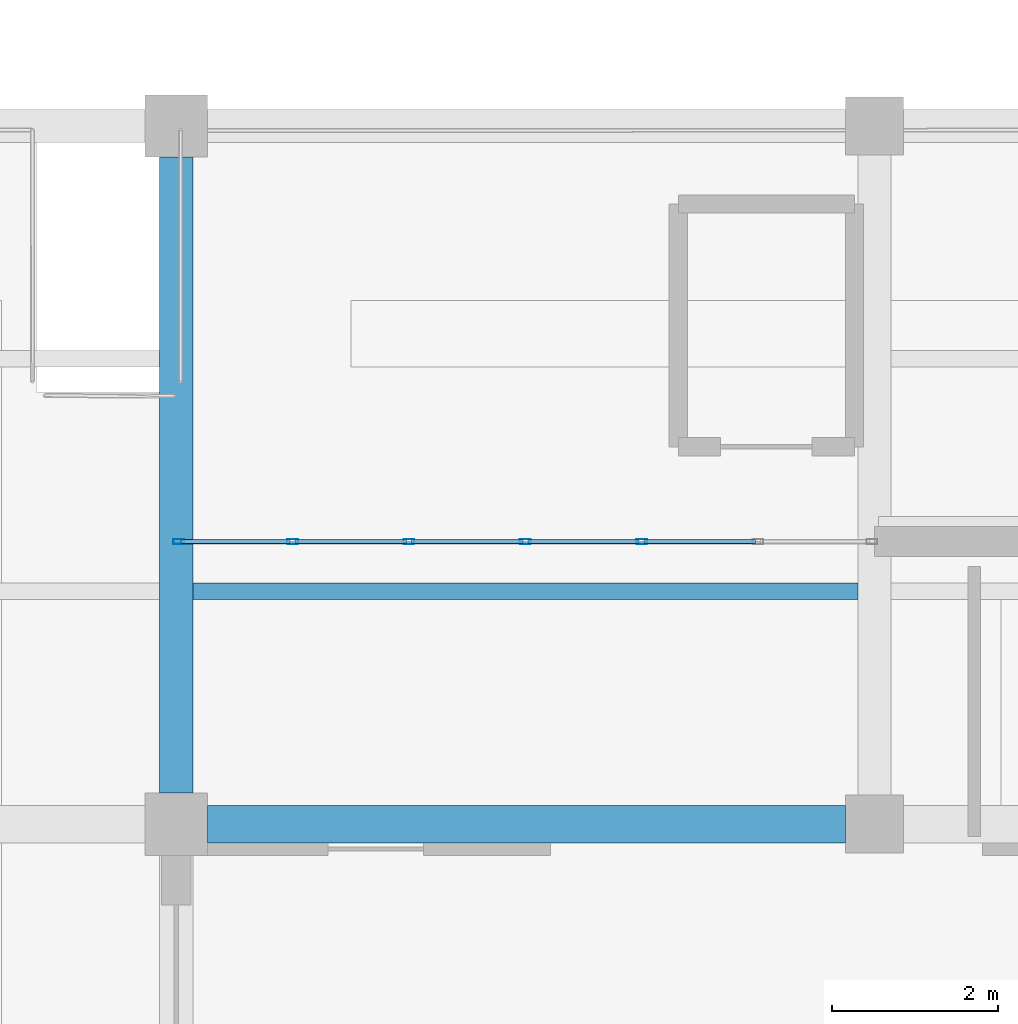
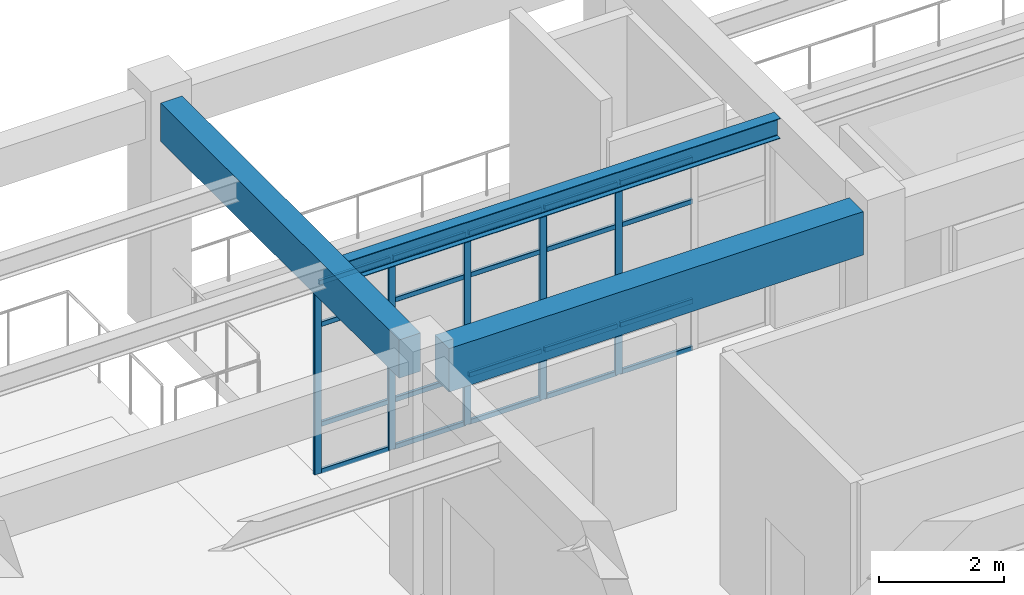
# One storey, part 9 of 98: 25 members, 3 beams, 1 element without a shape of its own.
"""IFC4 building model written with IfcOpenShell, lengths in metres."""

from ifc_helpers import new_model, si_unit, direction, frame, origin, origin_2d, place, context, subcontext, project, spatial, rectangle, hollow_rectangle, i_section, extrude, material, material_profile, profile_set, type_object, element, aggregate, save


model = new_model("IFC4")

# Units and contexts
model_context = context("Model", 3, precision=1e-05, world=origin(), true_north=direction((0.0, 1.0)))
body_context = subcontext(model_context, "Body", "Model", "MODEL_VIEW")
ifc_project = project(units=[si_unit("LENGTHUNIT", "METRE"), si_unit("AREAUNIT", "SQUARE_METRE"), si_unit("VOLUMEUNIT", "CUBIC_METRE"), si_unit("PLANEANGLEUNIT", "RADIAN"), si_unit("MASSUNIT", "GRAM", prefix="KILO")], contexts=[model_context])

# Site, building, storey
site_placement = place(None, origin())
site = spatial("IfcSite", under=ifc_project, at=site_placement, CompositionType="ELEMENT")
building_placement = place(site_placement, origin())
building = spatial("IfcBuilding", under=site, at=building_placement, Name="Canglan Escarpment Cableway Terminal", CompositionType="ELEMENT")
storey_placement = place(building_placement, frame((0.0, 0.0, 9.60009765625)))
storey = spatial("IfcBuildingStorey", under=building, at=storey_placement, Name="L02", CompositionType="ELEMENT", Elevation=9.60009765625)

# Beams
ifc_material_1 = material(Name="Concrete C40", Category="concrete")
ifc_material_profile_1 = material_profile(ifc_material_1, rectangle(XDim=0.39990234375, YDim=0.75, at=origin_2d()), Name="RC 400x750")
ifc_profile_set_1 = profile_set([ifc_material_profile_1], Name="Concrete C40")
beam_type_1 = type_object("IfcBeamType", Name="BM-RC400x750", PredefinedType="BEAM", material=ifc_profile_set_1)
beam_1_placement = place(storey_placement, frame((50.89990234375, 16.77490234375, 4.14501953125), z_axis=(0.0, 1.0, 0.0), x_axis=(-1.0, 0.0, 0.0)))
element("IfcBeam", 1, at=beam_1_placement, inside=storey, type_object=beam_type_1, Name="Primary transverse girder B-03", PredefinedType="BEAM", context=body_context, shape_type="SweptSolid", body=[
    extrude(rectangle(XDim=0.39990234375, YDim=0.75, at=origin_2d()), origin(), (0.0, 0.0, 1.0), 7.650146484375),
])
ifc_material_profile_2 = material_profile(ifc_material_1, rectangle(XDim=0.449951171875, YDim=0.85009765625, at=origin_2d()), Name="RC 450x850")
ifc_profile_set_2 = profile_set([ifc_material_profile_2], Name="Concrete C40")
beam_type_2 = type_object("IfcBeamType", Name="BM-RC450x850", PredefinedType="BEAM", material=ifc_profile_set_2)
beam_2_placement = place(storey_placement, frame((51.27490234375, 16.39990234375, 4.0849609375), z_axis=(1.0, 0.0, 0.0), x_axis=(0.0, 1.0, 0.0)))
element("IfcBeam", 2, at=beam_2_placement, inside=storey, type_object=beam_type_2, Name="Primary structural girder B-02", PredefinedType="BEAM", context=body_context, shape_type="SweptSolid", body=[
    extrude(rectangle(XDim=0.449951171875, YDim=0.85009765625, at=origin_2d()), origin(), (0.0, 0.0, 1.0), 7.675048828125),
])

# Curtain wall, members
ifc_material_2 = material(Name="Anodized bronze aluminium and Low-E double glazing", Category="aluminium")
curtain_wall_type = type_object("IfcCurtainWallType", Name="CW-BAY-8400x3750", PredefinedType="NOTDEFINED", material=ifc_material_2)
curtain_wall_placement = place(storey_placement, origin())
curtain_wall = element("IfcCurtainWall", 3, at=curtain_wall_placement, inside=storey, type_object=curtain_wall_type, Name="Classical bay-between-piers glazed curtain wall CW-08", PredefinedType="NOTDEFINED")
ifc_material_3 = material(Name="Thermally broken anodized aluminium 6063-T6", Category="aluminium")
ifc_material_profile_3 = material_profile(ifc_material_3, hollow_rectangle(XDim=0.06005859375, YDim=0.1298828125, WallThickness=0.0029296875, InnerFilletRadius=0.0029296875, OuterFilletRadius=0.006103515625, at=origin_2d()), Name="ALU-MULL 60x130x3")
ifc_profile_set_3 = profile_set([ifc_material_profile_3], Name="Thermally broken anodized aluminium 6063-T6")
member_type_1 = type_object("IfcMemberType", Name="CWM-01", PredefinedType="MULLION", material=ifc_profile_set_3)
member_1_placement = place(storey_placement, frame((56.5, 19.800048828125, 0.0), z_axis=(0.0, 0.0, 1.0), x_axis=(0.0, -1.0, 0.0)))
member_1 = element("IfcMember", 4, at=member_1_placement, type_object=member_type_1, Name="CW-08 mullion 3", PredefinedType="MULLION", context=body_context, shape_type="SweptSolid", body=[
    extrude(hollow_rectangle(XDim=0.06005859375, YDim=0.1298828125, WallThickness=0.0029296875, InnerFilletRadius=0.0029296875, OuterFilletRadius=0.006103515625, at=origin_2d()), origin(), (0.0, 0.0, 1.0), 3.7548828125),
])
member_2_placement = place(storey_placement, frame((55.10009765625, 19.800048828125, 0.0), z_axis=(0.0, 0.0, 1.0), x_axis=(0.0, -1.0, 0.0)))
member_2 = element("IfcMember", 5, at=member_2_placement, type_object=member_type_1, Name="CW-08 mullion 4", PredefinedType="MULLION", context=body_context, shape_type="SweptSolid", body=[
    extrude(hollow_rectangle(XDim=0.06005859375, YDim=0.1298828125, WallThickness=0.0029296875, InnerFilletRadius=0.0029296875, OuterFilletRadius=0.006103515625, at=origin_2d()), origin(), (0.0, 0.0, 1.0), 3.7548828125),
])
member_3_placement = place(storey_placement, frame((53.699951171875, 19.800048828125, 0.0), z_axis=(0.0, 0.0, 1.0), x_axis=(0.0, -1.0, 0.0)))
member_3 = element("IfcMember", 6, at=member_3_placement, type_object=member_type_1, Name="CW-08 mullion 5", PredefinedType="MULLION", context=body_context, shape_type="SweptSolid", body=[
    extrude(hollow_rectangle(XDim=0.06005859375, YDim=0.1298828125, WallThickness=0.0029296875, InnerFilletRadius=0.0029296875, OuterFilletRadius=0.006103515625, at=origin_2d()), origin(), (0.0, 0.0, 1.0), 3.7548828125),
])
member_4_placement = place(storey_placement, frame((52.300048828125, 19.800048828125, 0.0), z_axis=(0.0, 0.0, 1.0), x_axis=(0.0, -1.0, 0.0)))
member_4 = element("IfcMember", 7, at=member_4_placement, type_object=member_type_1, Name="CW-08 mullion 6", PredefinedType="MULLION", context=body_context, shape_type="SweptSolid", body=[
    extrude(hollow_rectangle(XDim=0.06005859375, YDim=0.1298828125, WallThickness=0.0029296875, InnerFilletRadius=0.0029296875, OuterFilletRadius=0.006103515625, at=origin_2d()), origin(), (0.0, 0.0, 1.0), 3.7548828125),
])
member_5_placement = place(storey_placement, frame((50.929931640625, 19.800048828125, 0.0), z_axis=(0.0, 0.0, 1.0), x_axis=(0.0, -1.0, 0.0)))
member_5 = element("IfcMember", 8, at=member_5_placement, type_object=member_type_1, Name="CW-08 mullion 7", PredefinedType="MULLION", context=body_context, shape_type="SweptSolid", body=[
    extrude(hollow_rectangle(XDim=0.06005859375, YDim=0.1298828125, WallThickness=0.0029296875, InnerFilletRadius=0.0029296875, OuterFilletRadius=0.006103515625, at=origin_2d()), origin(), (0.0, 0.0, 1.0), 3.7548828125),
])
ifc_material_profile_4 = material_profile(ifc_material_3, hollow_rectangle(XDim=0.054931640625, YDim=0.094970703125, WallThickness=0.0029296875, InnerFilletRadius=0.0029296875, OuterFilletRadius=0.006103515625, at=origin_2d()), Name="ALU-TRAN 55x95x3")
ifc_profile_set_4 = profile_set([ifc_material_profile_4], Name="Thermally broken anodized aluminium 6063-T6")
member_type_2 = type_object("IfcMemberType", Name="CWT-01", PredefinedType="USERDEFINED", material=ifc_profile_set_4)
member_6_placement = place(storey_placement, frame((57.8701171875, 19.800048828125, 0.02734375), z_axis=(-1.0, 0.0, 0.0), x_axis=(0.0, -1.0, 0.0)))
member_6 = element("IfcMember", 9, at=member_6_placement, type_object=member_type_2, Name="CW-08 transom 2.1", ObjectType="TRANSOM", PredefinedType="USERDEFINED", context=body_context, shape_type="SweptSolid", body=[
    extrude(hollow_rectangle(XDim=0.054931640625, YDim=0.094970703125, WallThickness=0.0029296875, InnerFilletRadius=0.0029296875, OuterFilletRadius=0.006103515625, at=origin_2d()), origin(), (0.0, 0.0, 1.0), 1.340087890625),
])
member_7_placement = place(storey_placement, frame((57.8701171875, 19.800048828125, 0.949951171875), z_axis=(-1.0, 0.0, 0.0), x_axis=(0.0, -1.0, 0.0)))
member_7 = element("IfcMember", 10, at=member_7_placement, type_object=member_type_2, Name="CW-08 transom 2.2", ObjectType="TRANSOM", PredefinedType="USERDEFINED", context=body_context, shape_type="SweptSolid", body=[
    extrude(hollow_rectangle(XDim=0.054931640625, YDim=0.094970703125, WallThickness=0.0029296875, InnerFilletRadius=0.0029296875, OuterFilletRadius=0.006103515625, at=origin_2d()), origin(), (0.0, 0.0, 1.0), 1.340087890625),
])
member_8_placement = place(storey_placement, frame((57.8701171875, 19.800048828125, 2.90478515625), z_axis=(-1.0, 0.0, 0.0), x_axis=(0.0, -1.0, 0.0)))
member_8 = element("IfcMember", 11, at=member_8_placement, type_object=member_type_2, Name="CW-08 transom 2.3", ObjectType="TRANSOM", PredefinedType="USERDEFINED", context=body_context, shape_type="SweptSolid", body=[
    extrude(hollow_rectangle(XDim=0.054931640625, YDim=0.094970703125, WallThickness=0.0029296875, InnerFilletRadius=0.0029296875, OuterFilletRadius=0.006103515625, at=origin_2d()), origin(), (0.0, 0.0, 1.0), 1.340087890625),
])
member_9_placement = place(storey_placement, frame((57.8701171875, 19.800048828125, 3.727294921875), z_axis=(-1.0, 0.0, 0.0), x_axis=(0.0, -1.0, 0.0)))
member_9 = element("IfcMember", 12, at=member_9_placement, type_object=member_type_2, Name="CW-08 transom 2.4", ObjectType="TRANSOM", PredefinedType="USERDEFINED", context=body_context, shape_type="SweptSolid", body=[
    extrude(hollow_rectangle(XDim=0.054931640625, YDim=0.094970703125, WallThickness=0.0029296875, InnerFilletRadius=0.0029296875, OuterFilletRadius=0.006103515625, at=origin_2d()), origin(), (0.0, 0.0, 1.0), 1.340087890625),
])
member_10_placement = place(storey_placement, frame((56.469970703125, 19.800048828125, 0.02734375), z_axis=(-1.0, 0.0, 0.0), x_axis=(0.0, -1.0, 0.0)))
member_10 = element("IfcMember", 13, at=member_10_placement, type_object=member_type_2, Name="CW-08 transom 3.1", ObjectType="TRANSOM", PredefinedType="USERDEFINED", context=body_context, shape_type="SweptSolid", body=[
    extrude(hollow_rectangle(XDim=0.054931640625, YDim=0.094970703125, WallThickness=0.0029296875, InnerFilletRadius=0.0029296875, OuterFilletRadius=0.006103515625, at=origin_2d()), origin(), (0.0, 0.0, 1.0), 1.340087890625),
])
member_11_placement = place(storey_placement, frame((56.469970703125, 19.800048828125, 0.949951171875), z_axis=(-1.0, 0.0, 0.0), x_axis=(0.0, -1.0, 0.0)))
member_11 = element("IfcMember", 14, at=member_11_placement, type_object=member_type_2, Name="CW-08 transom 3.2", ObjectType="TRANSOM", PredefinedType="USERDEFINED", context=body_context, shape_type="SweptSolid", body=[
    extrude(hollow_rectangle(XDim=0.054931640625, YDim=0.094970703125, WallThickness=0.0029296875, InnerFilletRadius=0.0029296875, OuterFilletRadius=0.006103515625, at=origin_2d()), origin(), (0.0, 0.0, 1.0), 1.340087890625),
])
member_12_placement = place(storey_placement, frame((56.469970703125, 19.800048828125, 2.90478515625), z_axis=(-1.0, 0.0, 0.0), x_axis=(0.0, -1.0, 0.0)))
member_12 = element("IfcMember", 15, at=member_12_placement, type_object=member_type_2, Name="CW-08 transom 3.3", ObjectType="TRANSOM", PredefinedType="USERDEFINED", context=body_context, shape_type="SweptSolid", body=[
    extrude(hollow_rectangle(XDim=0.054931640625, YDim=0.094970703125, WallThickness=0.0029296875, InnerFilletRadius=0.0029296875, OuterFilletRadius=0.006103515625, at=origin_2d()), origin(), (0.0, 0.0, 1.0), 1.340087890625),
])
member_13_placement = place(storey_placement, frame((56.469970703125, 19.800048828125, 3.727294921875), z_axis=(-1.0, 0.0, 0.0), x_axis=(0.0, -1.0, 0.0)))
member_13 = element("IfcMember", 16, at=member_13_placement, type_object=member_type_2, Name="CW-08 transom 3.4", ObjectType="TRANSOM", PredefinedType="USERDEFINED", context=body_context, shape_type="SweptSolid", body=[
    extrude(hollow_rectangle(XDim=0.054931640625, YDim=0.094970703125, WallThickness=0.0029296875, InnerFilletRadius=0.0029296875, OuterFilletRadius=0.006103515625, at=origin_2d()), origin(), (0.0, 0.0, 1.0), 1.340087890625),
])
member_14_placement = place(storey_placement, frame((55.070068359375, 19.800048828125, 0.02734375), z_axis=(-1.0, 0.0, 0.0), x_axis=(0.0, -1.0, 0.0)))
member_14 = element("IfcMember", 17, at=member_14_placement, type_object=member_type_2, Name="CW-08 transom 4.1", ObjectType="TRANSOM", PredefinedType="USERDEFINED", context=body_context, shape_type="SweptSolid", body=[
    extrude(hollow_rectangle(XDim=0.054931640625, YDim=0.094970703125, WallThickness=0.0029296875, InnerFilletRadius=0.0029296875, OuterFilletRadius=0.006103515625, at=origin_2d()), origin(), (0.0, 0.0, 1.0), 1.340087890625),
])
member_15_placement = place(storey_placement, frame((55.070068359375, 19.800048828125, 0.949951171875), z_axis=(-1.0, 0.0, 0.0), x_axis=(0.0, -1.0, 0.0)))
member_15 = element("IfcMember", 18, at=member_15_placement, type_object=member_type_2, Name="CW-08 transom 4.2", ObjectType="TRANSOM", PredefinedType="USERDEFINED", context=body_context, shape_type="SweptSolid", body=[
    extrude(hollow_rectangle(XDim=0.054931640625, YDim=0.094970703125, WallThickness=0.0029296875, InnerFilletRadius=0.0029296875, OuterFilletRadius=0.006103515625, at=origin_2d()), origin(), (0.0, 0.0, 1.0), 1.340087890625),
])
member_16_placement = place(storey_placement, frame((55.070068359375, 19.800048828125, 2.90478515625), z_axis=(-1.0, 0.0, 0.0), x_axis=(0.0, -1.0, 0.0)))
member_16 = element("IfcMember", 19, at=member_16_placement, type_object=member_type_2, Name="CW-08 transom 4.3", ObjectType="TRANSOM", PredefinedType="USERDEFINED", context=body_context, shape_type="SweptSolid", body=[
    extrude(hollow_rectangle(XDim=0.054931640625, YDim=0.094970703125, WallThickness=0.0029296875, InnerFilletRadius=0.0029296875, OuterFilletRadius=0.006103515625, at=origin_2d()), origin(), (0.0, 0.0, 1.0), 1.340087890625),
])
member_17_placement = place(storey_placement, frame((55.070068359375, 19.800048828125, 3.727294921875), z_axis=(-1.0, 0.0, 0.0), x_axis=(0.0, -1.0, 0.0)))
member_17 = element("IfcMember", 20, at=member_17_placement, type_object=member_type_2, Name="CW-08 transom 4.4", ObjectType="TRANSOM", PredefinedType="USERDEFINED", context=body_context, shape_type="SweptSolid", body=[
    extrude(hollow_rectangle(XDim=0.054931640625, YDim=0.094970703125, WallThickness=0.0029296875, InnerFilletRadius=0.0029296875, OuterFilletRadius=0.006103515625, at=origin_2d()), origin(), (0.0, 0.0, 1.0), 1.340087890625),
])
member_18_placement = place(storey_placement, frame((53.669921875, 19.800048828125, 0.02734375), z_axis=(-1.0, 0.0, 0.0), x_axis=(0.0, -1.0, 0.0)))
member_18 = element("IfcMember", 21, at=member_18_placement, type_object=member_type_2, Name="CW-08 transom 5.1", ObjectType="TRANSOM", PredefinedType="USERDEFINED", context=body_context, shape_type="SweptSolid", body=[
    extrude(hollow_rectangle(XDim=0.054931640625, YDim=0.094970703125, WallThickness=0.0029296875, InnerFilletRadius=0.0029296875, OuterFilletRadius=0.006103515625, at=origin_2d()), origin(), (0.0, 0.0, 1.0), 1.33984375),
])
member_19_placement = place(storey_placement, frame((53.669921875, 19.800048828125, 0.949951171875), z_axis=(-1.0, 0.0, 0.0), x_axis=(0.0, -1.0, 0.0)))
member_19 = element("IfcMember", 22, at=member_19_placement, type_object=member_type_2, Name="CW-08 transom 5.2", ObjectType="TRANSOM", PredefinedType="USERDEFINED", context=body_context, shape_type="SweptSolid", body=[
    extrude(hollow_rectangle(XDim=0.054931640625, YDim=0.094970703125, WallThickness=0.0029296875, InnerFilletRadius=0.0029296875, OuterFilletRadius=0.006103515625, at=origin_2d()), origin(), (0.0, 0.0, 1.0), 1.33984375),
])
member_20_placement = place(storey_placement, frame((53.669921875, 19.800048828125, 2.90478515625), z_axis=(-1.0, 0.0, 0.0), x_axis=(0.0, -1.0, 0.0)))
member_20 = element("IfcMember", 23, at=member_20_placement, type_object=member_type_2, Name="CW-08 transom 5.3", ObjectType="TRANSOM", PredefinedType="USERDEFINED", context=body_context, shape_type="SweptSolid", body=[
    extrude(hollow_rectangle(XDim=0.054931640625, YDim=0.094970703125, WallThickness=0.0029296875, InnerFilletRadius=0.0029296875, OuterFilletRadius=0.006103515625, at=origin_2d()), origin(), (0.0, 0.0, 1.0), 1.33984375),
])
member_21_placement = place(storey_placement, frame((53.669921875, 19.800048828125, 3.727294921875), z_axis=(-1.0, 0.0, 0.0), x_axis=(0.0, -1.0, 0.0)))
member_21 = element("IfcMember", 24, at=member_21_placement, type_object=member_type_2, Name="CW-08 transom 5.4", ObjectType="TRANSOM", PredefinedType="USERDEFINED", context=body_context, shape_type="SweptSolid", body=[
    extrude(hollow_rectangle(XDim=0.054931640625, YDim=0.094970703125, WallThickness=0.0029296875, InnerFilletRadius=0.0029296875, OuterFilletRadius=0.006103515625, at=origin_2d()), origin(), (0.0, 0.0, 1.0), 1.33984375),
])
member_22_placement = place(storey_placement, frame((52.27001953125, 19.800048828125, 0.02734375), z_axis=(-1.0, 0.0, 0.0), x_axis=(0.0, -1.0, 0.0)))
member_22 = element("IfcMember", 25, at=member_22_placement, type_object=member_type_2, Name="CW-08 transom 6.1", ObjectType="TRANSOM", PredefinedType="USERDEFINED", context=body_context, shape_type="SweptSolid", body=[
    extrude(hollow_rectangle(XDim=0.054931640625, YDim=0.094970703125, WallThickness=0.0029296875, InnerFilletRadius=0.0029296875, OuterFilletRadius=0.006103515625, at=origin_2d()), origin(), (0.0, 0.0, 1.0), 1.31005859375),
])
member_23_placement = place(storey_placement, frame((52.27001953125, 19.800048828125, 0.949951171875), z_axis=(-1.0, 0.0, 0.0), x_axis=(0.0, -1.0, 0.0)))
member_23 = element("IfcMember", 26, at=member_23_placement, type_object=member_type_2, Name="CW-08 transom 6.2", ObjectType="TRANSOM", PredefinedType="USERDEFINED", context=body_context, shape_type="SweptSolid", body=[
    extrude(hollow_rectangle(XDim=0.054931640625, YDim=0.094970703125, WallThickness=0.0029296875, InnerFilletRadius=0.0029296875, OuterFilletRadius=0.006103515625, at=origin_2d()), origin(), (0.0, 0.0, 1.0), 1.31005859375),
])
member_24_placement = place(storey_placement, frame((52.27001953125, 19.800048828125, 2.90478515625), z_axis=(-1.0, 0.0, 0.0), x_axis=(0.0, -1.0, 0.0)))
member_24 = element("IfcMember", 27, at=member_24_placement, type_object=member_type_2, Name="CW-08 transom 6.3", ObjectType="TRANSOM", PredefinedType="USERDEFINED", context=body_context, shape_type="SweptSolid", body=[
    extrude(hollow_rectangle(XDim=0.054931640625, YDim=0.094970703125, WallThickness=0.0029296875, InnerFilletRadius=0.0029296875, OuterFilletRadius=0.006103515625, at=origin_2d()), origin(), (0.0, 0.0, 1.0), 1.31005859375),
])
member_25_placement = place(storey_placement, frame((52.27001953125, 19.800048828125, 3.727294921875), z_axis=(-1.0, 0.0, 0.0), x_axis=(0.0, -1.0, 0.0)))
member_25 = element("IfcMember", 28, at=member_25_placement, type_object=member_type_2, Name="CW-08 transom 6.4", ObjectType="TRANSOM", PredefinedType="USERDEFINED", context=body_context, shape_type="SweptSolid", body=[
    extrude(hollow_rectangle(XDim=0.054931640625, YDim=0.094970703125, WallThickness=0.0029296875, InnerFilletRadius=0.0029296875, OuterFilletRadius=0.006103515625, at=origin_2d()), origin(), (0.0, 0.0, 1.0), 1.31005859375),
])
aggregate(curtain_wall, [member_1, member_2, member_3, member_4, member_5, member_6, member_7, member_8, member_9, member_10, member_11, member_12, member_13, member_14, member_15, member_16, member_17, member_18, member_19, member_20, member_21, member_22, member_23, member_24, member_25])

# Beam
ifc_material_4 = material(Name="Steel Q355B", Category="steel")
ifc_material_profile_5 = material_profile(ifc_material_4, i_section(OverallWidth=0.199951171875, OverallDepth=0.39990234375, WebThickness=0.008056640625, FlangeThickness=0.012939453125, FilletRadius=0.01611328125, at=origin_2d()), Name="HN 400x200x8x13")
ifc_profile_set_5 = profile_set([ifc_material_profile_5], Name="Steel Q355B")
beam_type_3 = type_object("IfcBeamType", Name="JS-HN400", PredefinedType="JOIST", material=ifc_profile_set_5)
beam_3_placement = place(storey_placement, frame((51.10009765625, 19.199951171875, 4.309814453125), z_axis=(1.0, 0.0, 0.0), x_axis=(0.0, 1.0, 0.0)))
element("IfcBeam", 29, at=beam_3_placement, inside=storey, type_object=beam_type_3, Name="Secondary composite deck joist J-03", PredefinedType="JOIST", context=body_context, shape_type="SweptSolid", body=[
    extrude(i_section(OverallWidth=0.199951171875, OverallDepth=0.39990234375, WebThickness=0.008056640625, FlangeThickness=0.012939453125, FilletRadius=0.01611328125, at=origin_2d()), origin(), (0.0, 0.0, 1.0), 8.0),
])

save(model, "model.ifc")
